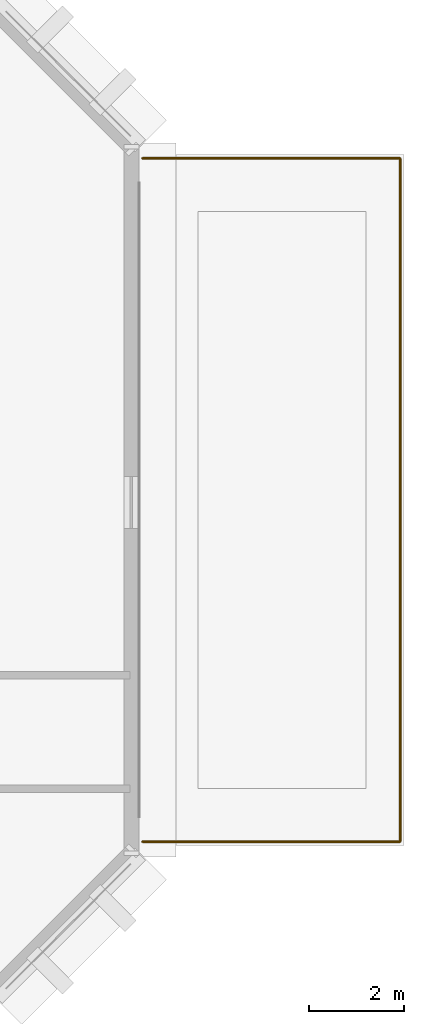
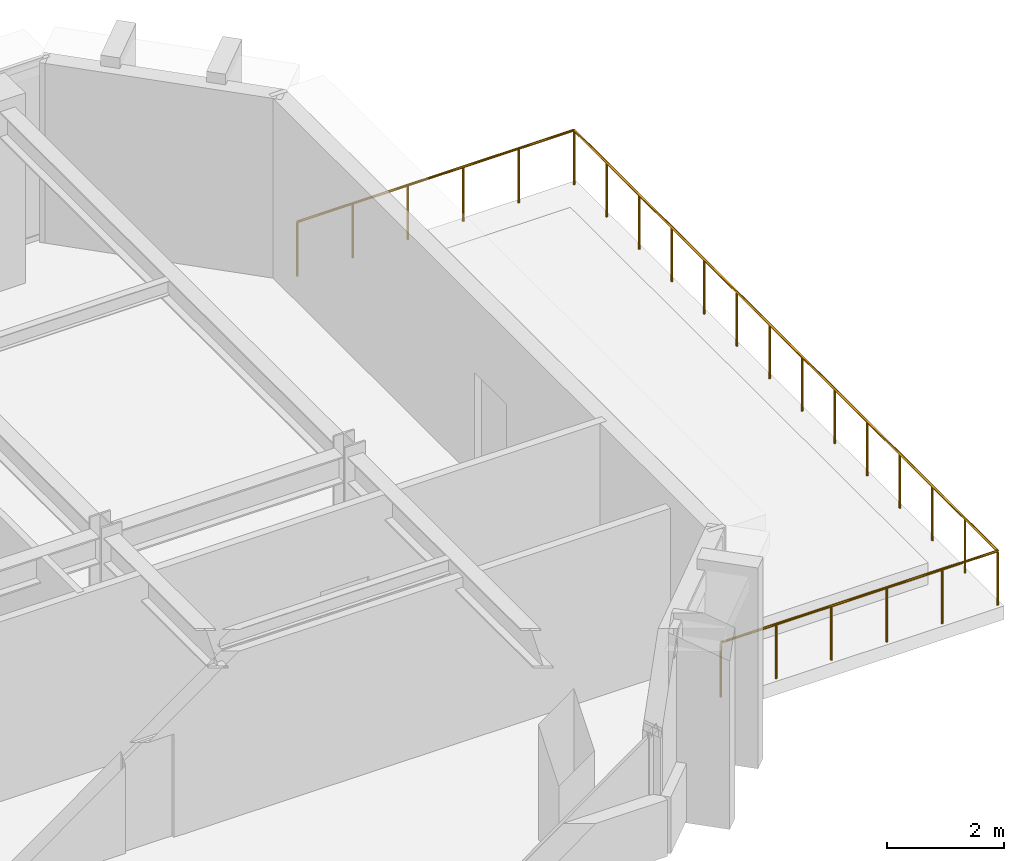
# One storey, part 9 of 11: 1 railing.
"""IFC4 building model written with IfcOpenShell, lengths in metres."""

from ifc_helpers import new_model, si_unit, direction, frame, origin, origin_2d, place, context, subcontext, project, spatial, circle, extrude, material, type_object, element, save


model = new_model("IFC4")

# Units and contexts
model_context = context("Model", 3, precision=1e-05, world=origin(), true_north=direction((0.0, 1.0)))
body_context = subcontext(model_context, "Body", "Model", "MODEL_VIEW")
ifc_project = project(units=[si_unit("LENGTHUNIT", "METRE"), si_unit("AREAUNIT", "SQUARE_METRE"), si_unit("VOLUMEUNIT", "CUBIC_METRE"), si_unit("PLANEANGLEUNIT", "RADIAN"), si_unit("MASSUNIT", "GRAM", prefix="KILO")], contexts=[model_context])

# Site, building, storey
site_placement = place(None, origin())
site = spatial("IfcSite", under=ifc_project, at=site_placement, CompositionType="ELEMENT")
building_placement = place(site_placement, origin())
building = spatial("IfcBuilding", under=site, at=building_placement, Name="Kefirva Bronze Tower", CompositionType="ELEMENT")
storey_placement = place(building_placement, frame((0.0, 0.0, 272.25)))
storey = spatial("IfcBuildingStorey", under=building, at=storey_placement, Name="L66", CompositionType="ELEMENT", Elevation=272.25)

# Railing
ifc_material = material(Name="Bronze anodised aluminium", Category="aluminium")
railing_type = type_object("IfcRailingType", Name="Exterior Ship-Deck Terrace Guardrail 1150mm", PredefinedType="GUARDRAIL", material=ifc_material)
railing_placement = place(storey_placement, frame((44.469970703125, 28.280029296875, 0.0)))
element("IfcRailing", 1, at=railing_placement, inside=storey, type_object=railing_type, Name="L66 Terrace Perimeter Guardrail", PredefinedType="GUARDRAIL", context=body_context, shape_type="SweptSolid", body=[
    extrude(circle(Radius=0.02392578125, at=origin_2d()), frame((0.0, 0.0, 1.1259765625), z_axis=(1.0, 0.0, 0.0), x_axis=(0.0, 1.0, 0.0)), (0.0, 0.0, 1.0), 5.449951171875),
    extrude(circle(Radius=0.02392578125, at=origin_2d()), frame((5.449951171875, 0.0, 1.1259765625), z_axis=(0.0, 1.0, 0.0), x_axis=(-1.0, 0.0, 0.0)), (0.0, 0.0, 1.0), 14.43994140625),
    extrude(circle(Radius=0.02392578125, at=origin_2d()), frame((5.449951171875, 14.43994140625, 1.1259765625), z_axis=(-1.0, 0.0, 0.0), x_axis=(0.0, -1.0, 0.0)), (0.0, 0.0, 1.0), 5.449951171875),
    extrude(circle(Radius=0.02099609375, at=origin_2d()), origin(), (0.0, 0.0, 1.0), 1.101806640625),
    extrude(circle(Radius=0.02099609375, at=origin_2d()), frame((1.090087890625, 0.0, 0.0)), (0.0, 0.0, 1.0), 1.101806640625),
    extrude(circle(Radius=0.02099609375, at=origin_2d()), frame((2.179931640625, 0.0, 0.0)), (0.0, 0.0, 1.0), 1.101806640625),
    extrude(circle(Radius=0.02099609375, at=origin_2d()), frame((3.27001953125, 0.0, 0.0)), (0.0, 0.0, 1.0), 1.101806640625),
    extrude(circle(Radius=0.02099609375, at=origin_2d()), frame((4.35986328125, 0.0, 0.0)), (0.0, 0.0, 1.0), 1.101806640625),
    extrude(circle(Radius=0.02099609375, at=origin_2d()), frame((5.449951171875, 0.0, 0.0)), (0.0, 0.0, 1.0), 1.101806640625),
    extrude(circle(Radius=0.02099609375, at=origin_2d()), frame((5.449951171875, 1.11083984375, 0.0)), (0.0, 0.0, 1.0), 1.101806640625),
    extrude(circle(Radius=0.02099609375, at=origin_2d()), frame((5.449951171875, 2.221435546875, 0.0)), (0.0, 0.0, 1.0), 1.101806640625),
    extrude(circle(Radius=0.02099609375, at=origin_2d()), frame((5.449951171875, 3.332275390625, 0.0)), (0.0, 0.0, 1.0), 1.101806640625),
    extrude(circle(Radius=0.02099609375, at=origin_2d()), frame((5.449951171875, 4.443115234375, 0.0)), (0.0, 0.0, 1.0), 1.101806640625),
    extrude(circle(Radius=0.02099609375, at=origin_2d()), frame((5.449951171875, 5.5537109375, 0.0)), (0.0, 0.0, 1.0), 1.101806640625),
    extrude(circle(Radius=0.02099609375, at=origin_2d()), frame((5.449951171875, 6.66455078125, 0.0)), (0.0, 0.0, 1.0), 1.101806640625),
    extrude(circle(Radius=0.02099609375, at=origin_2d()), frame((5.449951171875, 7.775390625, 0.0)), (0.0, 0.0, 1.0), 1.101806640625),
    extrude(circle(Radius=0.02099609375, at=origin_2d()), frame((5.449951171875, 8.88623046875, 0.0)), (0.0, 0.0, 1.0), 1.101806640625),
    extrude(circle(Radius=0.02099609375, at=origin_2d()), frame((5.449951171875, 9.996826171875, 0.0)), (0.0, 0.0, 1.0), 1.101806640625),
    extrude(circle(Radius=0.02099609375, at=origin_2d()), frame((5.449951171875, 11.107666015625, 0.0)), (0.0, 0.0, 1.0), 1.101806640625),
    extrude(circle(Radius=0.02099609375, at=origin_2d()), frame((5.449951171875, 12.218505859375, 0.0)), (0.0, 0.0, 1.0), 1.101806640625),
    extrude(circle(Radius=0.02099609375, at=origin_2d()), frame((5.449951171875, 13.3291015625, 0.0)), (0.0, 0.0, 1.0), 1.101806640625),
    extrude(circle(Radius=0.02099609375, at=origin_2d()), frame((5.449951171875, 14.43994140625, 0.0)), (0.0, 0.0, 1.0), 1.101806640625),
    extrude(circle(Radius=0.02099609375, at=origin_2d()), frame((4.35986328125, 14.43994140625, 0.0)), (0.0, 0.0, 1.0), 1.101806640625),
    extrude(circle(Radius=0.02099609375, at=origin_2d()), frame((3.27001953125, 14.43994140625, 0.0)), (0.0, 0.0, 1.0), 1.101806640625),
    extrude(circle(Radius=0.02099609375, at=origin_2d()), frame((2.179931640625, 14.43994140625, 0.0)), (0.0, 0.0, 1.0), 1.101806640625),
    extrude(circle(Radius=0.02099609375, at=origin_2d()), frame((1.090087890625, 14.43994140625, 0.0)), (0.0, 0.0, 1.0), 1.101806640625),
    extrude(circle(Radius=0.02099609375, at=origin_2d()), frame((0.0, 14.43994140625, 0.0)), (0.0, 0.0, 1.0), 1.101806640625),
])

save(model, "model.ifc")
